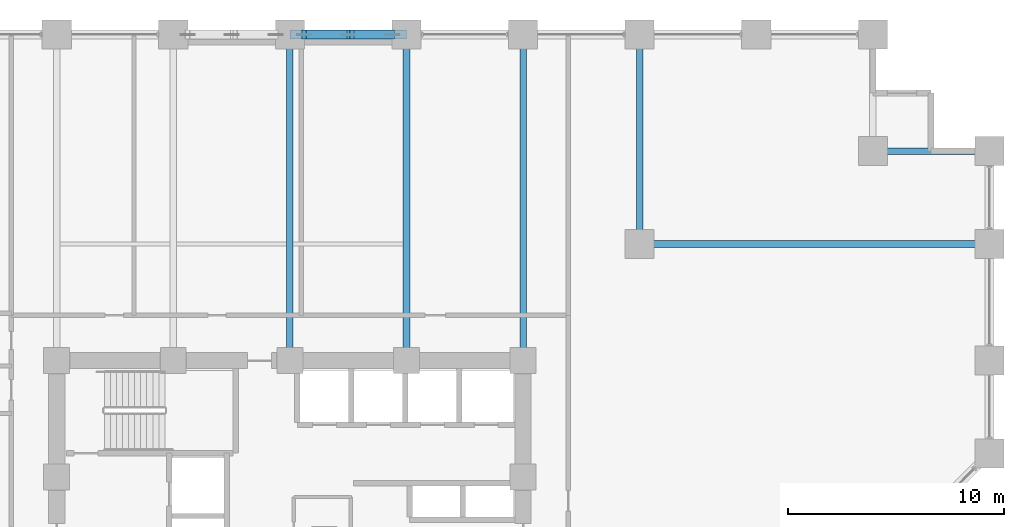
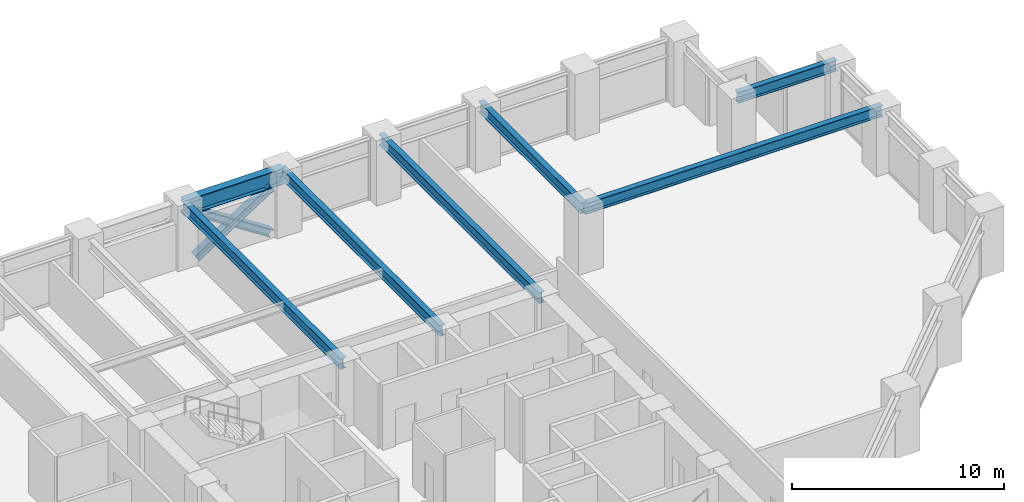
# One storey, part 14 of 24: 7 beams, 3 members.
"""IFC4 building model written with IfcOpenShell, lengths in metres."""

from ifc_helpers import new_model, si_unit, direction, frame, origin, origin_2d, place, context, subcontext, project, spatial, i_section, extrude, material, material_profile, profile_set, type_object, element, save


model = new_model("IFC4")

# Units and contexts
model_context = context("Model", 3, precision=1e-05, world=origin(), true_north=direction((0.0, 1.0)))
body_context = subcontext(model_context, "Body", "Model", "MODEL_VIEW")
ifc_project = project(units=[si_unit("LENGTHUNIT", "METRE"), si_unit("AREAUNIT", "SQUARE_METRE"), si_unit("VOLUMEUNIT", "CUBIC_METRE"), si_unit("PLANEANGLEUNIT", "RADIAN"), si_unit("MASSUNIT", "GRAM", prefix="KILO")], contexts=[model_context])

# Site, building, storey
site_placement = place(None, origin())
site = spatial("IfcSite", under=ifc_project, at=site_placement, CompositionType="ELEMENT")
building_placement = place(site_placement, origin())
building = spatial("IfcBuilding", under=site, at=building_placement, Name="Surkhivell Harbour Commons", CompositionType="ELEMENT")
storey_placement = place(building_placement, frame((0.0, 0.0, 26.25)))
storey = spatial("IfcBuildingStorey", under=building, at=storey_placement, Name="L06", CompositionType="ELEMENT", Elevation=26.25)

# Beams
ifc_material_1 = material(Name="Steel S355", Category="steel")
ifc_material_profile_1 = material_profile(ifc_material_1, i_section(OverallWidth=0.306884765625, OverallDepth=0.6201171875, WebThickness=0.01416015625, FlangeThickness=0.023681640625, at=origin_2d()), Name="UB610x305x179")
ifc_profile_set_1 = profile_set([ifc_material_profile_1], Name="Steel S355")
beam_type_1 = type_object("IfcBeamType", Name="BM-GRD-610A", PredefinedType="BEAM", material=ifc_profile_set_1)
for number, where, z_axis, x_axis, name in (
    (1, (0.0, 10.800048828125, 3.260009765625), (0.0, 1.0, 0.0), (-1.0, 0.0, 0.0), "L06 Floor Girder (0.0,10.8)"),
    (2, (5.39990234375, 10.800048828125, 3.260009765625), (0.0, 1.0, 0.0), (-1.0, 0.0, 0.0), "L06 Floor Girder (5.4,10.8)"),
    (3, (10.800048828125, 10.800048828125, 3.260009765625), (0.0, 1.0, 0.0), (-1.0, 0.0, 0.0), "L06 Floor Girder (10.8,10.8)"),
):
    element("IfcBeam", number, at=place(storey_placement, frame(where, z_axis=z_axis, x_axis=x_axis)), inside=storey, type_object=beam_type_1, Name=name, PredefinedType="BEAM", context=body_context, shape_type="SweptSolid", body=[
        extrude(i_section(OverallWidth=0.306884765625, OverallDepth=0.6201171875, WebThickness=0.01416015625, FlangeThickness=0.023681640625, at=origin_2d()), origin(), (0.0, 0.0, 1.0), 15.099853515625),
    ])
beam_1_placement = place(storey_placement, frame((16.199951171875, 16.199951171875, 3.260009765625), z_axis=(0.0, 1.0, 0.0), x_axis=(-1.0, 0.0, 0.0)))
element("IfcBeam", 4, at=beam_1_placement, inside=storey, type_object=beam_type_1, Name="L06 Floor Girder (16.2,16.2)", PredefinedType="BEAM", context=body_context, shape_type="SweptSolid", body=[
    extrude(i_section(OverallWidth=0.306884765625, OverallDepth=0.6201171875, WebThickness=0.01416015625, FlangeThickness=0.023681640625, at=origin_2d()), origin(), (0.0, 0.0, 1.0), 9.699951171875),
])
beam_2_placement = place(storey_placement, frame((16.199951171875, 16.199951171875, 3.260009765625), z_axis=(1.0, 0.0, 0.0), x_axis=(0.0, 1.0, 0.0)))
element("IfcBeam", 5, at=beam_2_placement, inside=storey, type_object=beam_type_1, Name="L06 Floor Girder (16.2,16.2)", PredefinedType="BEAM", context=body_context, shape_type="SweptSolid", body=[
    extrude(i_section(OverallWidth=0.306884765625, OverallDepth=0.6201171875, WebThickness=0.01416015625, FlangeThickness=0.023681640625, at=origin_2d()), origin(), (0.0, 0.0, 1.0), 16.199951171875),
])
beam_3_placement = place(storey_placement, frame((27.0, 20.5, 3.260009765625), z_axis=(1.0, 0.0, 0.0), x_axis=(0.0, 1.0, 0.0)))
element("IfcBeam", 6, at=beam_3_placement, inside=storey, type_object=beam_type_1, Name="L06 Floor Girder (27.0,20.5)", PredefinedType="BEAM", context=body_context, shape_type="SweptSolid", body=[
    extrude(i_section(OverallWidth=0.306884765625, OverallDepth=0.6201171875, WebThickness=0.01416015625, FlangeThickness=0.023681640625, at=origin_2d()), origin(), (0.0, 0.0, 1.0), 5.39990234375),
])
ifc_material_2 = material(Name="Steel S460", Category="steel")
ifc_material_profile_2 = material_profile(ifc_material_2, i_section(OverallWidth=0.419921875, OverallDepth=0.9208984375, WebThickness=0.021484375, FlangeThickness=0.03662109375, at=origin_2d()), Name="UB914x419x388")
ifc_profile_set_2 = profile_set([ifc_material_profile_2], Name="Steel S460")
beam_type_2 = type_object("IfcBeamType", Name="BM-SPN-914A", PredefinedType="SPANDREL", material=ifc_profile_set_2)
beam_4_placement = place(storey_placement, frame((0.0, 25.89990234375, 3.109619140625), z_axis=(1.0, 0.0, 0.0), x_axis=(0.0, 1.0, 0.0)))
element("IfcBeam", 7, at=beam_4_placement, inside=storey, type_object=beam_type_2, Name="L06 Tube Spandrel (-0.0,25.9)", PredefinedType="SPANDREL", context=body_context, shape_type="SweptSolid", body=[
    extrude(i_section(OverallWidth=0.419921875, OverallDepth=0.9208984375, WebThickness=0.021484375, FlangeThickness=0.03662109375, at=origin_2d()), origin(), (0.0, 0.0, 1.0), 5.39990234375),
])

# Members
ifc_material_profile_3 = material_profile(ifc_material_2, i_section(OverallWidth=0.406005859375, OverallDepth=0.416015625, WebThickness=0.026611328125, FlangeThickness=0.0390625, at=origin_2d()), Name="HD400x382")
ifc_profile_set_3 = profile_set([ifc_material_profile_3], Name="Steel S460")
member_type = type_object("IfcMemberType", Name="MEM-BRC-HD382", PredefinedType="BRACE", material=ifc_profile_set_3)
member_1_placement = place(storey_placement, frame((0.659912109375, 25.89990234375, 0.008056640625), z_axis=(0.83910375559, 0.0, 0.543971403067), x_axis=(0.0, 1.0, 0.0)))
element("IfcMember", 8, at=member_1_placement, inside=storey, type_object=member_type, Name="L06 Perimeter Mega-Brace MB- 04", PredefinedType="BRACE", context=body_context, shape_type="SweptSolid", body=[
    extrude(i_section(OverallWidth=0.406005859375, OverallDepth=0.416015625, WebThickness=0.026611328125, FlangeThickness=0.0390625, at=origin_2d()), origin(), (0.0, 0.0, 1.0), 4.8623046875),
])
member_2_placement = place(storey_placement, frame((4.739990234375, 25.89990234375, 0.008056640625), z_axis=(-0.83908547242, 0.0, 0.543999604756), x_axis=(0.0, -1.0, 0.0)))
element("IfcMember", 9, at=member_2_placement, inside=storey, type_object=member_type, Name="L06 Perimeter Mega-Brace MB- 05", PredefinedType="BRACE", context=body_context, shape_type="SweptSolid", body=[
    extrude(i_section(OverallWidth=0.406005859375, OverallDepth=0.416015625, WebThickness=0.026611328125, FlangeThickness=0.0390625, at=origin_2d()), origin(), (0.0, 0.0, 1.0), 2.2314453125),
])
member_3_placement = place(storey_placement, frame((2.532470703125, 25.89990234375, 1.439208984375), z_axis=(-0.839117847051, 0.0, 0.54394966565), x_axis=(0.0, -1.0, 0.0)))
element("IfcMember", 10, at=member_3_placement, inside=storey, type_object=member_type, Name="L06 Perimeter Mega-Brace MB- 06", PredefinedType="BRACE", context=body_context, shape_type="SweptSolid", body=[
    extrude(i_section(OverallWidth=0.406005859375, OverallDepth=0.416015625, WebThickness=0.026611328125, FlangeThickness=0.0390625, at=origin_2d()), origin(), (0.0, 0.0, 1.0), 2.231689453125),
])

save(model, "model.ifc")
